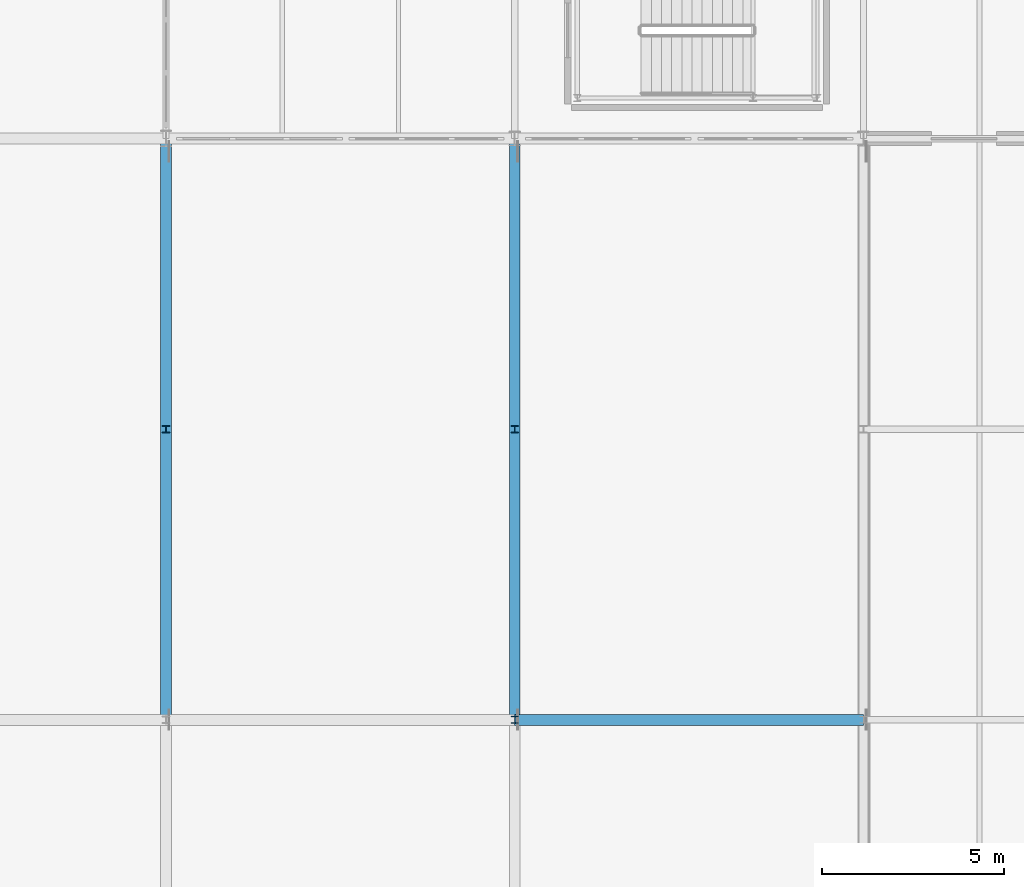
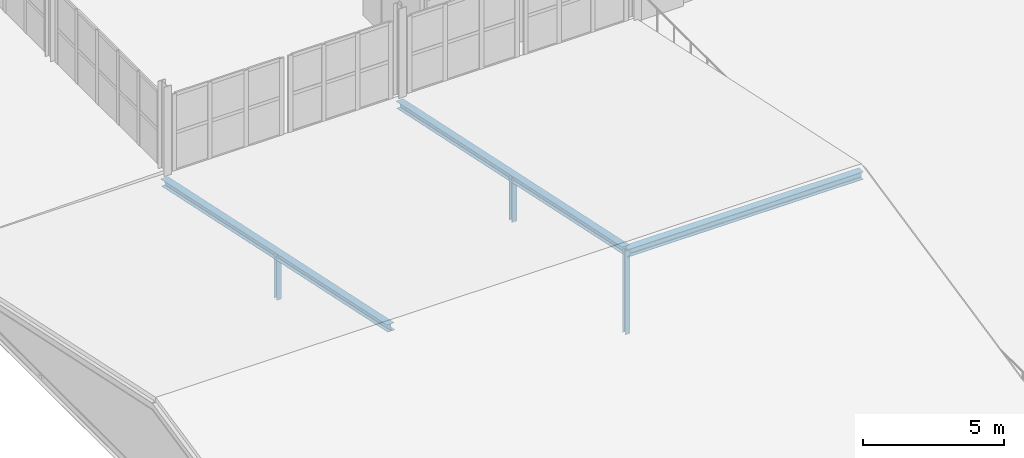
# One storey, part 36 of 85: 5 members, 1 beam.
"""IFC4 building model written with IfcOpenShell, lengths in metres."""

from ifc_helpers import new_model, si_unit, direction, frame, origin, origin_2d, place, context, subcontext, project, spatial, i_section, extrude, material, material_profile, profile_set, type_object, element, save


model = new_model("IFC4")

# Units and contexts
model_context = context("Model", 3, precision=1e-05, world=origin(), true_north=direction((0.0, 1.0)))
body_context = subcontext(model_context, "Body", "Model", "MODEL_VIEW")
ifc_project = project(units=[si_unit("LENGTHUNIT", "METRE"), si_unit("AREAUNIT", "SQUARE_METRE"), si_unit("VOLUMEUNIT", "CUBIC_METRE"), si_unit("PLANEANGLEUNIT", "RADIAN"), si_unit("MASSUNIT", "GRAM", prefix="KILO")], contexts=[model_context])

# Site, building, storey
site_placement = place(None, origin())
site = spatial("IfcSite", under=ifc_project, at=site_placement, CompositionType="ELEMENT")
building_placement = place(site_placement, origin())
building = spatial("IfcBuilding", under=site, at=building_placement, Name="Alderhovde Museum", CompositionType="ELEMENT")
storey_placement = place(building_placement, frame((0.0, 0.0, 8.699951171875)))
storey = spatial("IfcBuildingStorey", under=building, at=storey_placement, Name="L02", CompositionType="ELEMENT", Elevation=8.699951171875)

# Beam
ifc_material_1 = material(Name="Steel S355J2", Category="steel")
ifc_material_profile_1 = material_profile(ifc_material_1, i_section(OverallWidth=0.300048828125, OverallDepth=0.330078125, WebThickness=0.009521484375, FlangeThickness=0.0166015625, FilletRadius=0.027099609375, at=origin_2d()), Name="HEA 340")
ifc_profile_set_1 = profile_set([ifc_material_profile_1], Name="Steel S355J2")
beam_type = type_object("IfcBeamType", Name="BM-HEA340", PredefinedType="BEAM", material=ifc_profile_set_1)
beam_placement = place(storey_placement, frame((86.39990234375, 16.0, 3.02001953125), z_axis=(1.0, 0.0, 0.0), x_axis=(0.0, 1.0, 0.0)))
element("IfcBeam", 1, at=beam_placement, inside=storey, type_object=beam_type, Name="Auditorium Roof Purlin Beam Y=16", PredefinedType="BEAM", context=body_context, shape_type="SweptSolid", body=[
    extrude(i_section(OverallWidth=0.300048828125, OverallDepth=0.330078125, WebThickness=0.009521484375, FlangeThickness=0.0166015625, FilletRadius=0.027099609375, at=origin_2d()), origin(), (0.0, 0.0, 1.0), 9.60009765625),
])

# Members
ifc_material_2 = material(Name="Steel S355J2", Category="steel")
ifc_material_profile_2 = material_profile(ifc_material_2, i_section(OverallWidth=0.300048828125, OverallDepth=0.2900390625, WebThickness=0.008544921875, FlangeThickness=0.013916015625, FilletRadius=0.027099609375, at=origin_2d()), Name="HEA 300")
ifc_profile_set_2 = profile_set([ifc_material_profile_2], Name="Steel S355J2")
member_type_1 = type_object("IfcMemberType", Name="TR-CH-HEA300", PredefinedType="CHORD", material=ifc_profile_set_2)
for number, where, z_axis, x_axis, name in (
    (2, (76.800048828125, 32.0, -0.300048828125), (0.0, -0.9781570301, 0.207867324191), (1.0, 0.0, 0.0), "Auditorium Roof Truss X=76.8 North Rafter"),
    (3, (86.39990234375, 32.0, -0.300048828125), (0.0, -0.9781570301, 0.207867324191), (1.0, 0.0, 0.0), "Auditorium Roof Truss X=86.4 North Rafter"),
):
    element("IfcMember", number, at=place(storey_placement, frame(where, z_axis=z_axis, x_axis=x_axis)), inside=storey, type_object=member_type_1, Name=name, PredefinedType="CHORD", context=body_context, shape_type="SweptSolid", body=[
        extrude(i_section(OverallWidth=0.300048828125, OverallDepth=0.2900390625, WebThickness=0.008544921875, FlangeThickness=0.013916015625, FilletRadius=0.027099609375, at=origin_2d()), origin(), (0.0, 0.0, 1.0), 16.357177734375),
    ])
ifc_material_3 = material(Name="Steel S355J2", Category="steel")
ifc_material_profile_3 = material_profile(ifc_material_3, i_section(OverallWidth=0.199951171875, OverallDepth=0.18994140625, WebThickness=0.006591796875, FlangeThickness=0.010009765625, FilletRadius=0.01806640625, at=origin_2d()), Name="HEA 200")
ifc_profile_set_3 = profile_set([ifc_material_profile_3], Name="Steel S355J2")
member_type_2 = type_object("IfcMemberType", Name="TR-PS-HEA200", PredefinedType="POST", material=ifc_profile_set_3)
member_1_placement = place(storey_placement, frame((76.800048828125, 24.0, -0.5), z_axis=(0.0, 0.0, 1.0), x_axis=(1.0, 0.0, 0.0)))
element("IfcMember", 4, at=member_1_placement, inside=storey, type_object=member_type_2, Name="Auditorium Roof Truss X=76.8 Post P3", PredefinedType="POST", context=body_context, shape_type="SweptSolid", body=[
    extrude(i_section(OverallWidth=0.199951171875, OverallDepth=0.18994140625, WebThickness=0.006591796875, FlangeThickness=0.010009765625, FilletRadius=0.01806640625, at=origin_2d()), origin(), (0.0, 0.0, 1.0), 1.900146484375),
])
member_2_placement = place(storey_placement, frame((86.39990234375, 16.0, -0.5), z_axis=(0.0, 0.0, 1.0), x_axis=(1.0, 0.0, 0.0)))
element("IfcMember", 5, at=member_2_placement, inside=storey, type_object=member_type_2, Name="Auditorium Roof Truss X=86.4 Post P2", PredefinedType="POST", context=body_context, shape_type="SweptSolid", body=[
    extrude(i_section(OverallWidth=0.199951171875, OverallDepth=0.18994140625, WebThickness=0.006591796875, FlangeThickness=0.010009765625, FilletRadius=0.01806640625, at=origin_2d()), origin(), (0.0, 0.0, 1.0), 3.60009765625),
])
member_3_placement = place(storey_placement, frame((86.39990234375, 24.0, -0.5), z_axis=(0.0, 0.0, 1.0), x_axis=(1.0, 0.0, 0.0)))
element("IfcMember", 6, at=member_3_placement, inside=storey, type_object=member_type_2, Name="Auditorium Roof Truss X=86.4 Post P3", PredefinedType="POST", context=body_context, shape_type="SweptSolid", body=[
    extrude(i_section(OverallWidth=0.199951171875, OverallDepth=0.18994140625, WebThickness=0.006591796875, FlangeThickness=0.010009765625, FilletRadius=0.01806640625, at=origin_2d()), origin(), (0.0, 0.0, 1.0), 1.900146484375),
])

save(model, "model.ifc")
